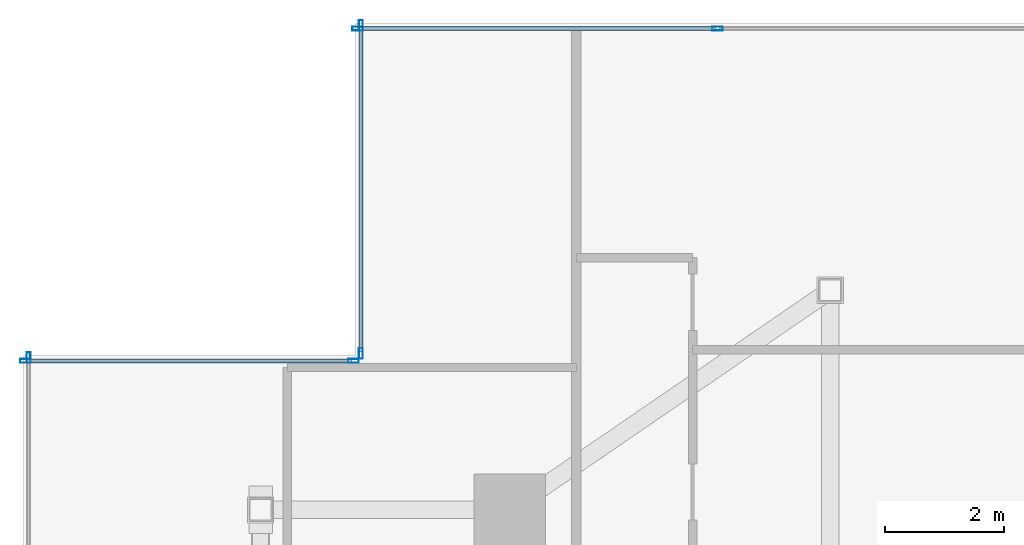
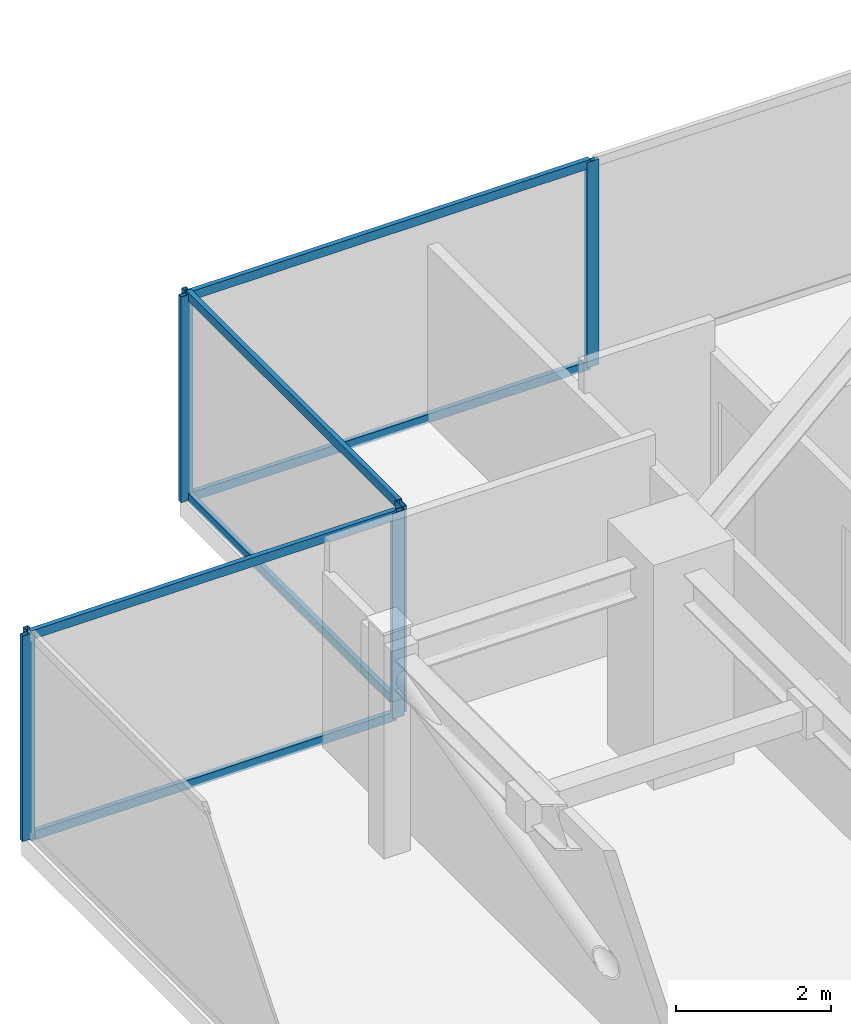
# One storey, part 12 of 16: 13 members, 4 elements without a shape of their own.
"""IFC4 building model written with IfcOpenShell, lengths in metres."""

from ifc_helpers import new_model, si_unit, direction, frame, origin, origin_2d, place, context, subcontext, project, spatial, hollow_rectangle, extrude, source, transform, mapped, material, material_profile, profile_set, type_object, type_shapes, element, aggregate, save


model = new_model("IFC4")

# Units and contexts
model_context = context("Model", 3, precision=1e-05, world=origin(), true_north=direction((0.0, 1.0)))
body_context = subcontext(model_context, "Body", "Model", "MODEL_VIEW")
ifc_project = project(units=[si_unit("LENGTHUNIT", "METRE"), si_unit("AREAUNIT", "SQUARE_METRE"), si_unit("VOLUMEUNIT", "CUBIC_METRE"), si_unit("PLANEANGLEUNIT", "RADIAN"), si_unit("MASSUNIT", "GRAM", prefix="KILO")], contexts=[model_context])

# Site, building, storey
site_placement = place(None, origin())
site = spatial("IfcSite", under=ifc_project, at=site_placement, CompositionType="ELEMENT")
building_placement = place(site_placement, origin())
building = spatial("IfcBuilding", under=site, at=building_placement, Name="Krantzveldt Concourse Tower", CompositionType="ELEMENT")
storey_placement = place(building_placement, frame((0.0, 0.0, 385.449951171875)))
storey = spatial("IfcBuildingStorey", under=building, at=storey_placement, Name="L95", CompositionType="ELEMENT", Elevation=385.449951171875)

# Curtain wall, members
ifc_material = material(Name="Anodised aluminium 6063-T6", Category="aluminium")
curtain_wall_type = type_object("IfcCurtainWallType", Name="CW7", PredefinedType="USERDEFINED", material=ifc_material)
curtain_wall_1_placement = place(storey_placement, origin())
curtain_wall_1 = element("IfcCurtainWall", 1, at=curtain_wall_1_placement, inside=storey, type_object=curtain_wall_type, Name="CW-L95-WEST-03", ObjectType="UNITISED CURTAIN WALL", PredefinedType="USERDEFINED")
ifc_material_profile_1 = material_profile(ifc_material, hollow_rectangle(XDim=0.070068359375, YDim=0.139892578125, WallThickness=0.0048828125, at=origin_2d()), Name="Anodised aluminium 6063-T6", Category="aluminium")
ifc_profile_set_1 = profile_set([ifc_material_profile_1], Name="Anodised aluminium 6063-T6 - ALU-TRAN 140x70x5")
member_type_1 = type_object("IfcMemberType", Name="CW-TRN-150", PredefinedType="USERDEFINED", material=ifc_profile_set_1)
shared_shape_1 = source(origin(), body_context, "Body", "SweptSolid", [
    extrude(hollow_rectangle(XDim=0.070068359375, YDim=0.139892578125, WallThickness=0.0048828125, at=origin_2d()), origin(), (0.0, 0.0, 1.0), 5.4599609375),
])
member_1_placement = place(storey_placement, frame((22.68994140625, 45.6298828125, 0.03515625), z_axis=(0.0, -1.0, 0.0), x_axis=(1.0, 0.0, 0.0)))
member_1 = element("IfcMember", 2, at=member_1_placement, type_object=member_type_1, Name="CW-CRN transom 1.1", ObjectType="TRANSOM", PredefinedType="USERDEFINED", context=body_context, shape_type="MappedRepresentation", body=[
    mapped(shared_shape_1, transform((0.0, 0.0, 0.0), x_axis=(1.0, 0.0, 0.0), y_axis=(0.0, 1.0, 0.0), z_axis=(0.0, 0.0, 1.0), scale=1.0)),
])
member_2_placement = place(storey_placement, frame((22.68994140625, 45.6298828125, 3.215087890625), z_axis=(0.0, -1.0, 0.0), x_axis=(1.0, 0.0, 0.0)))
member_2 = element("IfcMember", 3, at=member_2_placement, type_object=member_type_1, Name="CW-CRN transom 1.2", ObjectType="TRANSOM", PredefinedType="USERDEFINED", context=body_context, shape_type="MappedRepresentation", body=[
    mapped(shared_shape_1, transform((0.0, 0.0, 0.0), x_axis=(1.0, 0.0, 0.0), y_axis=(0.0, 1.0, 0.0), z_axis=(0.0, 0.0, 1.0), scale=1.0)),
])

curtain_wall_2_placement = place(storey_placement, origin())
curtain_wall_2 = element("IfcCurtainWall", 4, at=curtain_wall_2_placement, inside=storey, type_object=curtain_wall_type, Name="CW-L95-WEST-04", ObjectType="UNITISED CURTAIN WALL", PredefinedType="USERDEFINED")
member_3_placement = place(storey_placement, frame((22.530029296875, 40.010009765625, 0.03515625), z_axis=(-1.0, 0.0, 0.0), x_axis=(0.0, -1.0, 0.0)))
member_3 = element("IfcMember", 5, at=member_3_placement, type_object=member_type_1, Name="CW-CRN transom 1.1", ObjectType="TRANSOM", PredefinedType="USERDEFINED", context=body_context, shape_type="MappedRepresentation", body=[
    mapped(shared_shape_1, transform((0.0, 0.0, 0.0), x_axis=(1.0, 0.0, 0.0), y_axis=(0.0, 1.0, 0.0), z_axis=(0.0, 0.0, 1.0), scale=1.0)),
])
member_4_placement = place(storey_placement, frame((22.530029296875, 40.010009765625, 3.215087890625), z_axis=(-1.0, 0.0, 0.0), x_axis=(0.0, -1.0, 0.0)))
member_4 = element("IfcMember", 6, at=member_4_placement, type_object=member_type_1, Name="CW-CRN transom 1.2", ObjectType="TRANSOM", PredefinedType="USERDEFINED", context=body_context, shape_type="MappedRepresentation", body=[
    mapped(shared_shape_1, transform((0.0, 0.0, 0.0), x_axis=(1.0, 0.0, 0.0), y_axis=(0.0, 1.0, 0.0), z_axis=(0.0, 0.0, 1.0), scale=1.0)),
])

curtain_wall_3_placement = place(storey_placement, origin())
curtain_wall_3 = element("IfcCurtainWall", 7, at=curtain_wall_3_placement, inside=storey, type_object=curtain_wall_type, Name="CW-L95-WEST-02", ObjectType="UNITISED CURTAIN WALL", PredefinedType="USERDEFINED")
shared_shape_2 = source(origin(), body_context, "Body", "SweptSolid", [
    extrude(hollow_rectangle(XDim=0.070068359375, YDim=0.139892578125, WallThickness=0.0048828125, at=origin_2d()), origin(), (0.0, 0.0, 1.0), 5.9951171875),
])
type_shapes(member_type_1, [shared_shape_1, shared_shape_2])
member_5_placement = place(storey_placement, frame((28.6650390625, 45.610107421875, 0.03515625), z_axis=(-1.0, 0.0, 0.0), x_axis=(0.0, -1.0, 0.0)))
member_5 = element("IfcMember", 8, at=member_5_placement, type_object=member_type_1, Name="CW-CRN transom 2.1", ObjectType="TRANSOM", PredefinedType="USERDEFINED", context=body_context, shape_type="MappedRepresentation", body=[
    mapped(shared_shape_2, transform((0.0, 0.0, 0.0), x_axis=(1.0, 0.0, 0.0), y_axis=(0.0, 1.0, 0.0), z_axis=(0.0, 0.0, 1.0), scale=1.0)),
])
member_6_placement = place(storey_placement, frame((28.6650390625, 45.610107421875, 3.215087890625), z_axis=(-1.0, 0.0, 0.0), x_axis=(0.0, -1.0, 0.0)))
member_6 = element("IfcMember", 9, at=member_6_placement, type_object=member_type_1, Name="CW-CRN transom 2.2", ObjectType="TRANSOM", PredefinedType="USERDEFINED", context=body_context, shape_type="MappedRepresentation", body=[
    mapped(shared_shape_2, transform((0.0, 0.0, 0.0), x_axis=(1.0, 0.0, 0.0), y_axis=(0.0, 1.0, 0.0), z_axis=(0.0, 0.0, 1.0), scale=1.0)),
])
ifc_material_profile_2 = material_profile(ifc_material, hollow_rectangle(XDim=0.070068359375, YDim=0.179931640625, WallThickness=0.0048828125, at=origin_2d()), Name="Anodised aluminium 6063-T6", Category="aluminium")
ifc_profile_set_2 = profile_set([ifc_material_profile_2], Name="Anodised aluminium 6063-T6 - ALU-MULL 180x70x5")
member_type_2 = type_object("IfcMemberType", Name="CW-MUL-180", PredefinedType="MULLION", material=ifc_profile_set_2)
shared_shape_3 = source(origin(), body_context, "Body", "SweptSolid", [
    extrude(hollow_rectangle(XDim=0.070068359375, YDim=0.179931640625, WallThickness=0.0048828125, at=origin_2d()), origin(), (0.0, 0.0, 1.0), 3.25),
])
type_shapes(member_type_2, [shared_shape_3])
member_7_placement = place(storey_placement, frame((28.699951171875, 45.610107421875, 0.0), z_axis=(0.0, 0.0, 1.0), x_axis=(0.0, -1.0, 0.0)))
member_7 = element("IfcMember", 10, at=member_7_placement, type_object=member_type_2, Name="CW-CRN mullion 2", PredefinedType="MULLION", context=body_context, shape_type="MappedRepresentation", body=[
    mapped(shared_shape_3, transform((0.0, 0.0, 0.0), x_axis=(1.0, 0.0, 0.0), y_axis=(0.0, 1.0, 0.0), z_axis=(0.0, 0.0, 1.0), scale=1.0)),
])
member_8_placement = place(storey_placement, frame((22.635009765625, 45.610107421875, 0.0), z_axis=(0.0, 0.0, 1.0), x_axis=(0.0, -1.0, 0.0)))
member_8 = element("IfcMember", 11, at=member_8_placement, type_object=member_type_2, Name="CW-CRN mullion 3", PredefinedType="MULLION", context=body_context, shape_type="MappedRepresentation", body=[
    mapped(shared_shape_3, transform((0.0, 0.0, 0.0), x_axis=(1.0, 0.0, 0.0), y_axis=(0.0, 1.0, 0.0), z_axis=(0.0, 0.0, 1.0), scale=1.0)),
])
aggregate(curtain_wall_3, [member_7, member_8, member_5, member_6])

# Member
member_9_placement = place(storey_placement, frame((22.68994140625, 45.6650390625, 0.0), z_axis=(0.0, 0.0, 1.0), x_axis=(1.0, 0.0, 0.0)))
member_9 = element("IfcMember", 12, at=member_9_placement, type_object=member_type_2, Name="CW-CRN mullion 1", PredefinedType="MULLION", context=body_context, shape_type="MappedRepresentation", body=[
    mapped(shared_shape_3, transform((0.0, 0.0, 0.0), x_axis=(1.0, 0.0, 0.0), y_axis=(0.0, 1.0, 0.0), z_axis=(0.0, 0.0, 1.0), scale=1.0)),
])

member_10_placement = place(storey_placement, frame((22.68994140625, 40.135009765625, 0.0), z_axis=(0.0, 0.0, 1.0), x_axis=(1.0, 0.0, 0.0)))
member_10 = element("IfcMember", 13, at=member_10_placement, type_object=member_type_2, Name="CW-CRN mullion 2", PredefinedType="MULLION", context=body_context, shape_type="MappedRepresentation", body=[
    mapped(shared_shape_3, transform((0.0, 0.0, 0.0), x_axis=(1.0, 0.0, 0.0), y_axis=(0.0, 1.0, 0.0), z_axis=(0.0, 0.0, 1.0), scale=1.0)),
])

aggregate(curtain_wall_1, [member_9, member_10, member_1, member_2])

member_11_placement = place(storey_placement, frame((22.56494140625, 40.010009765625, 0.0), z_axis=(0.0, 0.0, 1.0), x_axis=(0.0, -1.0, 0.0)))
member_11 = element("IfcMember", 14, at=member_11_placement, type_object=member_type_2, Name="CW-CRN mullion 1", PredefinedType="MULLION", context=body_context, shape_type="MappedRepresentation", body=[
    mapped(shared_shape_3, transform((0.0, 0.0, 0.0), x_axis=(1.0, 0.0, 0.0), y_axis=(0.0, 1.0, 0.0), z_axis=(0.0, 0.0, 1.0), scale=1.0)),
])

member_12_placement = place(storey_placement, frame((17.034912109375, 40.010009765625, 0.0), z_axis=(0.0, 0.0, 1.0), x_axis=(0.0, -1.0, 0.0)))
member_12 = element("IfcMember", 15, at=member_12_placement, type_object=member_type_2, Name="CW-CRN mullion 2", PredefinedType="MULLION", context=body_context, shape_type="MappedRepresentation", body=[
    mapped(shared_shape_3, transform((0.0, 0.0, 0.0), x_axis=(1.0, 0.0, 0.0), y_axis=(0.0, 1.0, 0.0), z_axis=(0.0, 0.0, 1.0), scale=1.0)),
])

aggregate(curtain_wall_2, [member_11, member_12, member_3, member_4])

# Curtain wall, member
curtain_wall_4_placement = place(storey_placement, origin())
curtain_wall_4 = element("IfcCurtainWall", 16, at=curtain_wall_4_placement, inside=storey, type_object=curtain_wall_type, Name="CW-L95-WEST-05", ObjectType="UNITISED CURTAIN WALL", PredefinedType="USERDEFINED")
member_13_placement = place(storey_placement, frame((17.090087890625, 40.06494140625, 0.0), z_axis=(0.0, 0.0, 1.0), x_axis=(1.0, 0.0, 0.0)))
member_13 = element("IfcMember", 17, at=member_13_placement, type_object=member_type_2, Name="CW-CRN mullion 1", PredefinedType="MULLION", context=body_context, shape_type="MappedRepresentation", body=[
    mapped(shared_shape_3, transform((0.0, 0.0, 0.0), x_axis=(1.0, 0.0, 0.0), y_axis=(0.0, 1.0, 0.0), z_axis=(0.0, 0.0, 1.0), scale=1.0)),
])
aggregate(curtain_wall_4, [member_13])

save(model, "model.ifc")
